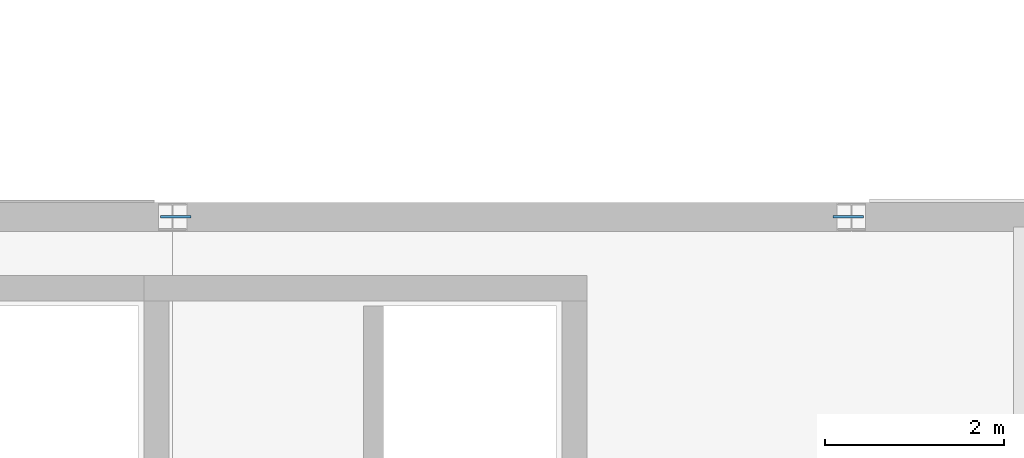
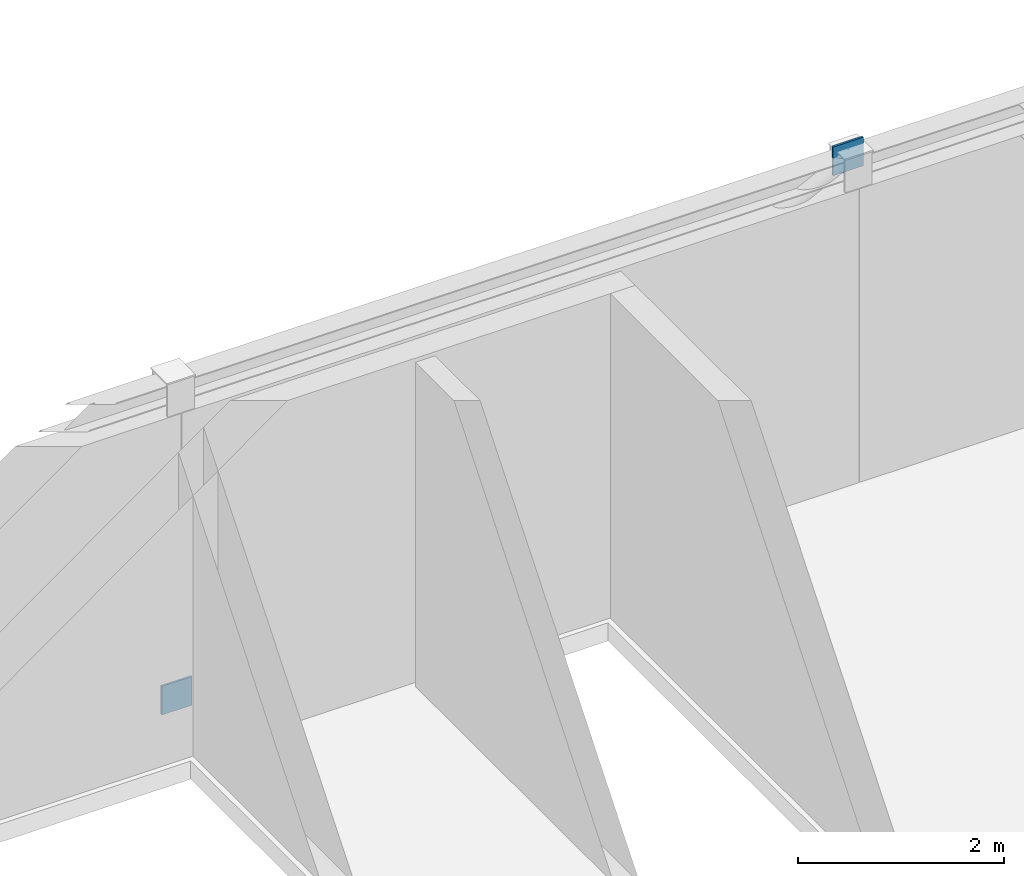
# One storey, part 99 of 114: 2 discrete accessories.
"""IFC4 building model written with IfcOpenShell, lengths in metres."""

import ifcopenshell
import ifcopenshell.guid

model = None  # the IFC model being written
_history = None  # IfcOwnerHistory: only IFC2X3 demands one
_inside = {}  # id of a spatial element -> (the spatial element, [elements in it])
_under = {}  # id of a project, library or spatial element -> (it, [spatial elements below it])
_declared = {}  # id of a project -> (the project, [libraries it declares])
_typed = {}  # id of a type object -> (the type object, [elements of that type])
_made_of = {}  # id of a material, layer set ... -> (it, [elements and type objects made of it])


def new_model(schema):
    """Start an empty IFC model of exactly this schema.

    Asked for "IFC4X3", IfcOpenShell would pick the latest addendum, in which some entities
    have other attributes; the version numbers below select the first issue.
    IFC2X3 requires an IfcOwnerHistory on every rooted entity: one is made here for all.
    """
    global model, _history
    if schema == "IFC4X3":
        model = ifcopenshell.file(schema_version=(4, 3, 0, 0))
    else:
        model = ifcopenshell.file(schema=schema)
    _inside.clear()
    _under.clear()
    _declared.clear()
    _typed.clear()
    _made_of.clear()
    _history = None
    if model.schema == "IFC2X3":
        org = make("IfcOrganization", Name="unknown")
        user = make(
            "IfcPersonAndOrganization",
            ThePerson=make("IfcPerson", FamilyName="unknown"),
            TheOrganization=org,
        )
        app = make(
            "IfcApplication",
            ApplicationDeveloper=org,
            Version="unknown",
            ApplicationFullName="unknown",
            ApplicationIdentifier="unknown",
        )
        _history = make(
            "IfcOwnerHistory",
            OwningUser=user,
            OwningApplication=app,
            ChangeAction="ADDED",
            CreationDate=0,
        )
    return model


def make(cls, **values):
    """One entity of the class cls with the attributes given. An attribute that is None is left unset."""
    return model.create_entity(
        cls, **{name: value for name, value in values.items() if value is not None}
    )


def rooted(cls, **values):
    """An entity with a GlobalId (a new one), such as an element, a storey or a relation."""
    return make(cls, GlobalId=ifcopenshell.guid.new(), OwnerHistory=_history, **values)


def si_unit(unit_type, name, prefix=None):
    """IfcSIUnit, for example si_unit("LENGTHUNIT", "METRE", prefix="MILLI")."""
    return make("IfcSIUnit", UnitType=unit_type, Prefix=prefix, Name=name)


def assignment(units):
    """IfcUnitAssignment: the units of a project."""
    return None if units is None else make("IfcUnitAssignment", Units=units)


def point(xyz):
    """IfcCartesianPoint."""
    return None if xyz is None else make("IfcCartesianPoint", Coordinates=xyz)


def direction(xyz):
    """IfcDirection."""
    return None if xyz is None else make("IfcDirection", DirectionRatios=xyz)


def frame(location, z_axis=None, x_axis=None):
    """IfcAxis2Placement3D, a coordinate frame: its origin and axes. An axis left out is left unset."""
    return make(
        "IfcAxis2Placement3D",
        Location=point(location),
        Axis=direction(z_axis),
        RefDirection=direction(x_axis),
    )


def frame_2d(location, x_axis=None):
    """IfcAxis2Placement2D, a coordinate frame in the plane: its origin and x axis."""
    return make(
        "IfcAxis2Placement2D", Location=point(location), RefDirection=direction(x_axis)
    )


def origin():
    """The frame at (0, 0, 0) with its axes left unset."""
    return frame((0.0, 0.0, 0.0))


def origin_2d():
    """The frame at (0, 0) in the plane with its x axis left unset."""
    return frame_2d((0.0, 0.0))


def place(relative_to, where):
    """IfcLocalPlacement: puts the frame where relative to a parent placement (None: the world)."""
    return make(
        "IfcLocalPlacement", PlacementRelTo=relative_to, RelativePlacement=where
    )


def context(
    kind, dimensions, precision=None, world=None, true_north=None, identifier=None
):
    """IfcGeometricRepresentationContext, for example the 3D "Model" context."""
    return make(
        "IfcGeometricRepresentationContext",
        ContextIdentifier=identifier,
        ContextType=kind,
        CoordinateSpaceDimension=dimensions,
        Precision=precision,
        WorldCoordinateSystem=world,
        TrueNorth=true_north,
    )


def subcontext(parent, identifier, kind, view, scale=None):
    """IfcGeometricRepresentationSubContext, for example "Body" below "Model"."""
    return make(
        "IfcGeometricRepresentationSubContext",
        ContextIdentifier=identifier,
        ContextType=kind,
        ParentContext=parent,
        TargetScale=scale,
        TargetView=view,
    )


def project(units=None, contexts=None):
    """IfcProject with its units and contexts."""
    return rooted(
        "IfcProject",
        Name="project",
        RepresentationContexts=contexts,
        UnitsInContext=assignment(units),
    )


def spatial(cls, under=None, at=None, **own):
    """A site, building, storey or space (cls), placed at a placement, below another one or the project."""
    s = rooted(cls, ObjectPlacement=at, **own)
    if under is not None:
        _under.setdefault(under.id(), (under, []))[1].append(s)
    return s


def profile(cls, at=None, kind="AREA", **sizes):
    """A parametric profile (cls). Its sizes go by their IFC names, for example OverallWidth=200.0."""
    return make(cls, ProfileType=kind, Position=at, **sizes)


def rectangle(**sizes):
    """IfcRectangleProfileDef."""
    return profile("IfcRectangleProfileDef", **sizes)


def extrude(swept, where, along, depth):
    """IfcExtrudedAreaSolid: the profile swept, set in the frame where, extruded along a direction by depth."""
    return make(
        "IfcExtrudedAreaSolid",
        SweptArea=swept,
        Position=where,
        ExtrudedDirection=direction(along),
        Depth=depth,
    )


def shape(context_of_items, identifier, shape_type, items):
    """IfcShapeRepresentation: the items that make up one representation, for example the "Body"."""
    return make(
        "IfcShapeRepresentation",
        ContextOfItems=context_of_items,
        RepresentationIdentifier=identifier,
        RepresentationType=shape_type,
        Items=items,
    )


def material(Name=None, Category=None):
    """IfcMaterial."""
    return make("IfcMaterial", Name=Name, Category=Category)


def made_of(thing, what):
    """Note that an element or type object is made of a material, layer set ...; save() writes the relation."""
    if what is not None:
        _made_of.setdefault(what.id(), (what, []))[1].append(thing)
    return thing


def type_object(cls, material=None, **own):
    """A type object (cls), such as IfcWallType, which elements share."""
    return made_of(rooted(cls, **own), material)


def element(
    cls,
    number,
    at=None,
    inside=None,
    cuts=None,
    type_object=None,
    material=None,
    context=None,
    identifier="Body",
    shape_type=None,
    held_by="IfcProductDefinitionShape",
    body=None,
    shapes=None,
    **own,
):
    """One element of the class cls, such as IfcWall. Its Tag is "e" and its number.

    at: its placement. inside: the storey or other place that contains it. cuts: it is an
    opening in that element (IfcRelVoidsElement). A single representation is given by context,
    identifier, shape_type and body (its items); several are given by shapes. held_by: the class
    of the entity that holds the representations. save() writes the other relations.
    """
    e = rooted(cls, Tag="e%d" % number, ObjectPlacement=at, **own)
    if body is not None:
        shapes = [shape(context, identifier, shape_type, body)]
    if shapes is not None:
        e.Representation = make(held_by, Representations=shapes)
    if inside is not None:
        _inside.setdefault(inside.id(), (inside, []))[1].append(e)
    if cuts is not None:
        rooted(
            "IfcRelVoidsElement", RelatingBuildingElement=cuts, RelatedOpeningElement=e
        )
    if type_object is not None:
        _typed.setdefault(type_object.id(), (type_object, []))[1].append(e)
    return made_of(e, material)


def aggregate(whole, parts):
    """IfcRelAggregates: a whole, such as a stair, and the parts it consists of."""
    return rooted("IfcRelAggregates", RelatingObject=whole, RelatedObjects=parts)


def save(model, path):
    """Write the relations noted so far, then the file.

    IfcRelAggregates (storeys below a building ...), IfcRelContainedInSpatialStructure (elements
    in a storey), IfcRelDefinesByType, IfcRelAssociatesMaterial and IfcRelDeclares: one each for
    every whole, place, type object, material and project.
    """
    for whole, parts in _under.values():
        aggregate(whole, parts)
    for where, things in _inside.values():
        rooted(
            "IfcRelContainedInSpatialStructure",
            RelatedElements=things,
            RelatingStructure=where,
        )
    for kind, things in _typed.values():
        rooted("IfcRelDefinesByType", RelatedObjects=things, RelatingType=kind)
    for what, things in _made_of.values():
        rooted("IfcRelAssociatesMaterial", RelatedObjects=things, RelatingMaterial=what)
    for by, libraries in _declared.values():
        rooted("IfcRelDeclares", RelatingContext=by, RelatedDefinitions=libraries)
    model.write(path)


model = new_model("IFC4")

# Units and contexts
model_context = context("Model", 3, precision=1e-05, world=origin(), true_north=direction((0.0, 1.0)))
body_context = subcontext(model_context, "Body", "Model", "MODEL_VIEW")
ifc_project = project(units=[si_unit("LENGTHUNIT", "METRE"), si_unit("AREAUNIT", "SQUARE_METRE"), si_unit("VOLUMEUNIT", "CUBIC_METRE"), si_unit("PLANEANGLEUNIT", "RADIAN"), si_unit("MASSUNIT", "GRAM", prefix="KILO")], contexts=[model_context])

# Site, building, storey
site_placement = place(None, origin())
site = spatial("IfcSite", under=ifc_project, at=site_placement, CompositionType="ELEMENT")
building_placement = place(site_placement, origin())
building = spatial("IfcBuilding", under=site, at=building_placement, Name="Montecoro Central Library", CompositionType="ELEMENT")
storey_placement = place(building_placement, frame((0.0, 0.0, 13.260009765625)))
storey = spatial("IfcBuildingStorey", under=building, at=storey_placement, Name="L03", CompositionType="ELEMENT", Elevation=13.260009765625)

# Discrete accessories
ifc_material = material(Name="Steel S355", Category="steel")
discrete_accessory_type = type_object("IfcDiscreteAccessoryType", Name="GUSSET-PLT-01", PredefinedType="BRACKET", material=ifc_material)
for number, where, z_axis, x_axis, name in (
    (1, (12.635986328125, 111.39990234375, -0.14208984375), (0.0, 0.0, 1.0), (1.0, 0.0, 0.0), "V4-L03-BRN1-GPA"),
    (2, (20.1640625, 111.39990234375, 3.6171875), (0.0, 0.0, 1.0), (1.0, 0.0, 0.0), "V4-L03-BRN1-GPB"),
):
    element("IfcDiscreteAccessory", number, at=place(storey_placement, frame(where, z_axis=z_axis, x_axis=x_axis)), inside=storey, type_object=discrete_accessory_type, Name=name, PredefinedType="BRACKET", context=body_context, shape_type="SweptSolid", body=[
        extrude(rectangle(XDim=0.340087890625, YDim=0.02392578125, at=origin_2d()), origin(), (0.0, 0.0, 1.0), 0.340087890625),
    ])

save(model, "model.ifc")
